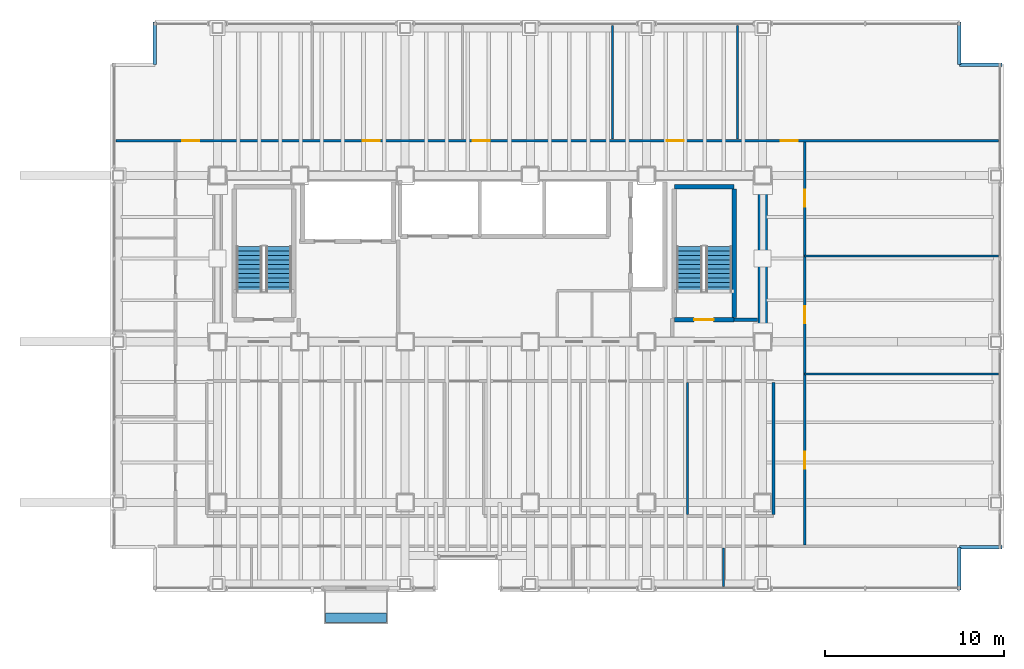
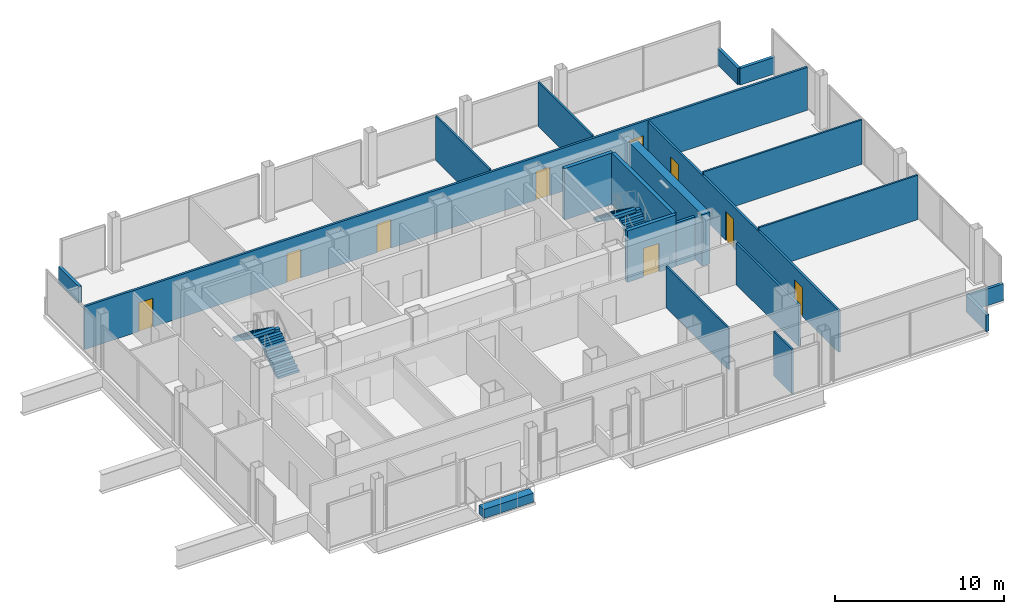
# One storey, part 22 of 23: 19 walls, 9 doors, 4 stair flights, 1 discrete accessory, 9 openings, 2 elements without a shape of their own.
"""IFC4 building model written with IfcOpenShell, lengths in metres."""

from ifc_helpers import new_model, si_unit, direction, frame, frame_2d, origin, origin_2d, place, context, subcontext, project, spatial, polyline, rectangle, outline, extrude, material, layer, layer_set, type_object, element, fill, aggregate, save


model = new_model("IFC4")

# Units and contexts
model_context = context("Model", 3, precision=1e-05, world=origin(), true_north=direction((0.0, 1.0)))
body_context = subcontext(model_context, "Body", "Model", "MODEL_VIEW")
ifc_project = project(units=[si_unit("LENGTHUNIT", "METRE"), si_unit("AREAUNIT", "SQUARE_METRE"), si_unit("VOLUMEUNIT", "CUBIC_METRE"), si_unit("PLANEANGLEUNIT", "RADIAN"), si_unit("MASSUNIT", "GRAM", prefix="KILO")], contexts=[model_context])

# Site, building, storey
site_placement = place(None, origin())
site = spatial("IfcSite", under=ifc_project, at=site_placement, CompositionType="ELEMENT")
building_placement = place(site_placement, origin())
building = spatial("IfcBuilding", under=site, at=building_placement, Name="Noeulbin Bourse Tower", CompositionType="ELEMENT")
storey_placement = place(building_placement, frame((0.0, 0.0, 53.800048828125)))
storey = spatial("IfcBuildingStorey", under=building, at=storey_placement, Name="L13", CompositionType="ELEMENT", Elevation=53.800048828125)

# Walls
ifc_material_1 = material(Name="Concrete C60/75", Category="concrete")
ifc_layer_1 = layer(ifc_material_1, 0.550048828125)
ifc_layer_set_1 = layer_set([ifc_layer_1], Name="Concrete C60/75")
wall_type_1 = type_object("IfcWallType", Name="WAL-CORE-550", PredefinedType="SHEAR", material=ifc_layer_set_1)
wall_1_placement = place(storey_placement, frame((44.0, 29.35009765625, 0.0), z_axis=(0.0, 0.0, 1.0), x_axis=(0.0, 1.0, 0.0)))
element("IfcWall", 1, at=wall_1_placement, inside=storey, type_object=wall_type_1, Name="Rear Core East Shear Wall L13", PredefinedType="SHEAR", context=body_context, shape_type="SweptSolid", body=[
    extrude(rectangle(XDim=8.599853515625, YDim=0.550048828125, at=frame_2d((4.2998046875, 0.0))), origin(), (0.0, 0.0, 1.0), 3.719970703125),
])
ifc_material_2 = material(Name="Concrete C40/50", Category="concrete")
ifc_layer_2 = layer(ifc_material_2, 0.199951171875)
ifc_layer_set_2 = layer_set([ifc_layer_2], Name="Concrete C40/50")
wall_type_2 = type_object("IfcWallType", Name="WAL-FIRE-200", PredefinedType="STANDARD", material=ifc_layer_set_2)
wall_2_placement = place(storey_placement, frame((42.39990234375, 30.239990234375, 0.0), z_axis=(0.0, 0.0, 1.0), x_axis=(1.0, 0.0, 0.0)))
element("IfcWall", 2, at=wall_2_placement, inside=storey, type_object=wall_type_2, Name="Interior Partition Wall L13-01", PredefinedType="STANDARD", context=body_context, shape_type="SweptSolid", body=[
    extrude(rectangle(XDim=1.315185546875, YDim=0.199951171875, at=frame_2d((0.65771484375, 0.0))), origin(), (0.0, 0.0, 1.0), 3.099853515625),
])
ifc_layer_3 = layer(ifc_material_2, 0.199951171875)
ifc_layer_set_3 = layer_set([ifc_layer_3], Name="Concrete C40/50")
wall_type_3 = type_object("IfcWallType", Name="WAL-PAR-200", PredefinedType="PARAPET", material=ifc_layer_set_3)
for number, where, z_axis, x_axis, name in (
    (3, (55.0, 15.10009765625, 0.0), (0.0, 0.0, 1.0), (0.0, 1.0, 0.0), "Corner Notch Parapet L13-SE1"),
    (4, (55.0, 17.5, 0.0), (0.0, 0.0, 1.0), (1.0, 0.0, 0.0), "Corner Notch Parapet L13-SE2"),
    (5, (10.0, 44.5, 0.0), (0.0, 0.0, 1.0), (0.0, 1.0, 0.0), "Corner Notch Parapet L13-NW2"),
    (6, (55.0, 46.89990234375, 0.0), (0.0, 0.0, 1.0), (0.0, -1.0, 0.0), "Corner Notch Parapet L13-NE1"),
    (7, (55.0, 44.5, 0.0), (0.0, 0.0, 1.0), (1.0, 0.0, 0.0), "Corner Notch Parapet L13-NE2"),
):
    element("IfcWall", number, at=place(storey_placement, frame(where, z_axis=z_axis, x_axis=x_axis)), inside=storey, type_object=wall_type_3, Name=name, PredefinedType="PARAPET", context=body_context, shape_type="SweptSolid", body=[
        extrude(rectangle(XDim=2.39990234375, YDim=0.199951171875, at=frame_2d((1.199951171875, 0.0))), origin(), (0.0, 0.0, 1.0), 1.199951171875),
    ])
ifc_material_3 = material(Name="Steel Stud Gypsum Partition", Category="steel")
ifc_layer_4 = layer(ifc_material_3, 0.1201171875)
ifc_layer_set_4 = layer_set([ifc_layer_4], Name="Steel Stud Gypsum Partition")
wall_type_4 = type_object("IfcWallType", Name="WAL-PRT-120", PredefinedType="PARTITIONING", material=ifc_layer_set_4)
for number, where, z_axis, x_axis, name in (
    (8, (46.35009765625, 27.199951171875, 0.0), (0.0, 0.0, 1.0), (1.0, 0.0, 0.0), "Interior Partition Wall L13-10"),
    (9, (46.35009765625, 33.800048828125, 0.0), (0.0, 0.0, 1.0), (1.0, 0.0, 0.0), "Interior Partition Wall L13-11"),
):
    element("IfcWall", number, at=place(storey_placement, frame(where, z_axis=z_axis, x_axis=x_axis)), inside=storey, type_object=wall_type_4, Name=name, PredefinedType="PARTITIONING", context=body_context, shape_type="SweptSolid", body=[
        extrude(rectangle(XDim=10.83984375, YDim=0.1201171875, at=frame_2d((5.419921875, 0.0))), origin(), (0.0, 0.0, 1.0), 3.2119140625),
    ])
wall_3_placement = place(storey_placement, frame((41.800048828125, 15.31005859375, 0.0), z_axis=(0.0, 0.0, 1.0), x_axis=(0.0, 1.0, 0.0)))
element("IfcWall", 10, at=wall_3_placement, inside=storey, type_object=wall_type_4, Name="Interior Partition Wall L13-27", PredefinedType="PARTITIONING", context=body_context, shape_type="SweptSolid", body=[
    extrude(rectangle(XDim=2.155029296875, YDim=0.1201171875, at=frame_2d((1.07763671875, 0.0))), origin(), (0.0, 0.0, 1.0), 3.2119140625),
])
wall_4_placement = place(storey_placement, frame((39.800048828125, 19.3349609375, 0.0), z_axis=(0.0, 0.0, 1.0), x_axis=(0.0, 1.0, 0.0)))
element("IfcWall", 11, at=wall_4_placement, inside=storey, type_object=wall_type_4, Name="Interior Partition Wall L13-31", PredefinedType="PARTITIONING", context=body_context, shape_type="SweptSolid", body=[
    extrude(rectangle(XDim=7.380126953125, YDim=0.1201171875, at=frame_2d((3.68994140625, 0.0))), origin(), (0.0, 0.0, 1.0), 3.0),
])
for number, where, z_axis, x_axis, name in (
    (12, (35.60009765625, 40.3349609375, 0.0), (0.0, 0.0, 1.0), (0.0, 1.0, 0.0), "Interior Partition Wall L13-34"),
    (13, (42.60009765625, 40.3349609375, 0.0), (0.0, 0.0, 1.0), (0.0, 1.0, 0.0), "Interior Partition Wall L13-35"),
):
    element("IfcWall", number, at=place(storey_placement, frame(where, z_axis=z_axis, x_axis=x_axis)), inside=storey, type_object=wall_type_4, Name=name, PredefinedType="PARTITIONING", context=body_context, shape_type="SweptSolid", body=[
        extrude(rectangle(XDim=6.35498046875, YDim=0.1201171875, at=frame_2d((3.177490234375, 0.0))), origin(), (0.0, 0.0, 1.0), 3.2119140625),
    ])

# Wall, openings, doors
ifc_material_4 = material(Name="Steel Stud Acoustic Gypsum Board", Category="steel")
ifc_layer_5 = layer(ifc_material_4, 0.14990234375)
ifc_layer_set_5 = layer_set([ifc_layer_5], Name="Steel Stud Acoustic Gypsum Board")
wall_type_5 = type_object("IfcWallType", Name="WAL-PRT-150", PredefinedType="PARTITIONING", material=ifc_layer_set_5)
wall_5_placement = place(storey_placement, frame((7.81005859375, 40.25, 0.0), z_axis=(0.0, 0.0, 1.0), x_axis=(1.0, 0.0, 0.0)))
wall_5 = element("IfcWall", 14, at=wall_5_placement, inside=storey, type_object=wall_type_5, Name="Interior Partition Wall L13-12", PredefinedType="PARTITIONING", context=body_context, shape_type="SweptSolid", body=[
    extrude(rectangle(XDim=49.3798828125, YDim=0.14990234375, at=frame_2d((24.68994140625, 0.0))), origin(), (0.0, 0.0, 1.0), 3.099853515625),
])
opening_1_placement = place(wall_5_placement, frame((3.72998046875, 0.0, 0.0)))
opening_1 = element("IfcOpeningElement", 15, at=opening_1_placement, cuts=wall_5, Name="Opening ID-09", PredefinedType="OPENING", context=body_context, shape_type="SweptSolid", body=[
    extrude(rectangle(XDim=0.949951171875, YDim=2.080078125, at=frame_2d((0.47509765625, 1.0400390625))), frame((0.0, 0.0849609375, 0.0), z_axis=(0.0, -1.0, 0.0), x_axis=(1.0, 0.0, 0.0)), (0.0, 0.0, 1.0), 0.169921875),
])
opening_2_placement = place(wall_5_placement, frame((13.81494140625, 0.0, 0.0)))
opening_2 = element("IfcOpeningElement", 16, at=opening_2_placement, cuts=wall_5, Name="Opening ID-09", PredefinedType="OPENING", context=body_context, shape_type="SweptSolid", body=[
    extrude(rectangle(XDim=0.949951171875, YDim=2.080078125, at=frame_2d((0.47509765625, 1.0400390625))), frame((0.0, 0.0849609375, 0.0), z_axis=(0.0, -1.0, 0.0), x_axis=(1.0, 0.0, 0.0)), (0.0, 0.0, 1.0), 0.169921875),
])
opening_3_placement = place(wall_5_placement, frame((19.965087890625, 0.0, 0.0)))
opening_3 = element("IfcOpeningElement", 17, at=opening_3_placement, cuts=wall_5, Name="Opening ID-09", PredefinedType="OPENING", context=body_context, shape_type="SweptSolid", body=[
    extrude(rectangle(XDim=0.949951171875, YDim=2.080078125, at=frame_2d((0.47509765625, 1.0400390625))), frame((0.0, 0.0849609375, 0.0), z_axis=(0.0, -1.0, 0.0), x_axis=(1.0, 0.0, 0.0)), (0.0, 0.0, 1.0), 0.169921875),
])
opening_4_placement = place(wall_5_placement, frame((30.81494140625, 0.0, 0.0)))
opening_4 = element("IfcOpeningElement", 18, at=opening_4_placement, cuts=wall_5, Name="Opening ID-09", PredefinedType="OPENING", context=body_context, shape_type="SweptSolid", body=[
    extrude(rectangle(XDim=0.949951171875, YDim=2.080078125, at=frame_2d((0.47509765625, 1.0400390625))), frame((0.0, 0.0849609375, 0.0), z_axis=(0.0, -1.0, 0.0), x_axis=(1.0, 0.0, 0.0)), (0.0, 0.0, 1.0), 0.169921875),
])
opening_5_placement = place(wall_5_placement, frame((37.199951171875, 0.0, 0.0)))
opening_5 = element("IfcOpeningElement", 19, at=opening_5_placement, cuts=wall_5, Name="Opening ID-09", PredefinedType="OPENING", context=body_context, shape_type="SweptSolid", body=[
    extrude(rectangle(XDim=0.949951171875, YDim=2.080078125, at=frame_2d((0.47509765625, 1.0400390625))), frame((0.0, 0.0849609375, 0.0), z_axis=(0.0, -1.0, 0.0), x_axis=(1.0, 0.0, 0.0)), (0.0, 0.0, 1.0), 0.169921875),
])
ifc_material_5 = material(Name="Acoustic Solid-Core Timber", Category="wood")
door_type_1 = type_object("IfcDoorType", Name="DR-SINGLE-950", OperationType="SINGLE_SWING_LEFT", PredefinedType="DOOR", material=ifc_material_5)
door_1_placement = place(opening_1_placement, origin())
door_1 = element("IfcDoor", 20, at=door_1_placement, inside=storey, type_object=door_type_1, Name="Interior Door L13-25", OperationType="SINGLE_SWING_RIGHT", OverallHeight=2.080078125, OverallWidth=0.949951171875, PredefinedType="DOOR", context=body_context, shape_type="SweptSolid", body=[
    extrude(rectangle(XDim=0.949951171875, YDim=2.080078125, at=frame_2d((0.47509765625, 1.0400390625))), frame((0.0, 0.02490234375, 0.0), z_axis=(0.0, -1.0, 0.0), x_axis=(1.0, 0.0, 0.0)), (0.0, 0.0, 1.0), 0.050048828125),
])
fill(opening_1, door_1)
door_2_placement = place(opening_2_placement, origin())
door_2 = element("IfcDoor", 21, at=door_2_placement, inside=storey, type_object=door_type_1, Name="Interior Door L13-26", OperationType="SINGLE_SWING_LEFT", OverallHeight=2.080078125, OverallWidth=0.949951171875, PredefinedType="DOOR", context=body_context, shape_type="SweptSolid", body=[
    extrude(rectangle(XDim=0.949951171875, YDim=2.080078125, at=frame_2d((0.47509765625, 1.0400390625))), frame((0.0, 0.02490234375, 0.0), z_axis=(0.0, -1.0, 0.0), x_axis=(1.0, 0.0, 0.0)), (0.0, 0.0, 1.0), 0.050048828125),
])
fill(opening_2, door_2)
door_3_placement = place(opening_3_placement, origin())
door_3 = element("IfcDoor", 22, at=door_3_placement, inside=storey, type_object=door_type_1, Name="Interior Door L13-27", OperationType="SINGLE_SWING_RIGHT", OverallHeight=2.080078125, OverallWidth=0.949951171875, PredefinedType="DOOR", context=body_context, shape_type="SweptSolid", body=[
    extrude(rectangle(XDim=0.949951171875, YDim=2.080078125, at=frame_2d((0.47509765625, 1.0400390625))), frame((0.0, 0.02490234375, 0.0), z_axis=(0.0, -1.0, 0.0), x_axis=(1.0, 0.0, 0.0)), (0.0, 0.0, 1.0), 0.050048828125),
])
fill(opening_3, door_3)
door_4_placement = place(opening_4_placement, origin())
door_4 = element("IfcDoor", 23, at=door_4_placement, inside=storey, type_object=door_type_1, Name="Interior Door L13-28", OperationType="SINGLE_SWING_LEFT", OverallHeight=2.080078125, OverallWidth=0.949951171875, PredefinedType="DOOR", context=body_context, shape_type="SweptSolid", body=[
    extrude(rectangle(XDim=0.949951171875, YDim=2.080078125, at=frame_2d((0.47509765625, 1.0400390625))), frame((0.0, 0.02490234375, 0.0), z_axis=(0.0, -1.0, 0.0), x_axis=(1.0, 0.0, 0.0)), (0.0, 0.0, 1.0), 0.050048828125),
])
fill(opening_4, door_4)
door_5_placement = place(opening_5_placement, origin())
door_5 = element("IfcDoor", 24, at=door_5_placement, inside=storey, type_object=door_type_1, Name="Interior Door L13-29", OperationType="SINGLE_SWING_RIGHT", OverallHeight=2.080078125, OverallWidth=0.949951171875, PredefinedType="DOOR", context=body_context, shape_type="SweptSolid", body=[
    extrude(rectangle(XDim=0.949951171875, YDim=2.080078125, at=frame_2d((0.47509765625, 1.0400390625))), frame((0.0, 0.02490234375, 0.0), z_axis=(0.0, -1.0, 0.0), x_axis=(1.0, 0.0, 0.0)), (0.0, 0.0, 1.0), 0.050048828125),
])
fill(opening_5, door_5)

wall_6_placement = place(storey_placement, frame((46.35009765625, 17.635009765625, 0.0), z_axis=(0.0, 0.0, 1.0), x_axis=(0.0, 1.0, 0.0)))
wall_6 = element("IfcWall", 25, at=wall_6_placement, inside=storey, type_object=wall_type_5, Name="Interior Partition Wall L13-23", PredefinedType="PARTITIONING", context=body_context, shape_type="SweptSolid", body=[
    extrude(rectangle(XDim=22.530029296875, YDim=0.14990234375, at=frame_2d((11.26513671875, 0.0))), origin(), (0.0, 0.0, 1.0), 3.0),
])
opening_6_placement = place(wall_6_placement, frame((4.264892578125, 0.0, 0.0)))
opening_6 = element("IfcOpeningElement", 26, at=opening_6_placement, cuts=wall_6, Name="Opening ID-09", PredefinedType="OPENING", context=body_context, shape_type="SweptSolid", body=[
    extrude(rectangle(XDim=0.949951171875, YDim=2.080078125, at=frame_2d((0.47509765625, 1.0400390625))), frame((0.0, 0.0849609375, 0.0), z_axis=(0.0, -1.0, 0.0), x_axis=(1.0, 0.0, 0.0)), (0.0, 0.0, 1.0), 0.169921875),
])
opening_7_placement = place(wall_6_placement, frame((12.389892578125, 0.0, 0.0)))
opening_7 = element("IfcOpeningElement", 27, at=opening_7_placement, cuts=wall_6, Name="Opening ID-09", PredefinedType="OPENING", context=body_context, shape_type="SweptSolid", body=[
    extrude(rectangle(XDim=0.949951171875, YDim=2.080078125, at=frame_2d((0.47509765625, 1.0400390625))), frame((0.0, 0.0849609375, 0.0), z_axis=(0.0, -1.0, 0.0), x_axis=(1.0, 0.0, 0.0)), (0.0, 0.0, 1.0), 0.169921875),
])
opening_8_placement = place(wall_6_placement, frame((18.9150390625, 0.0, 0.0)))
opening_8 = element("IfcOpeningElement", 28, at=opening_8_placement, cuts=wall_6, Name="Opening ID-09", PredefinedType="OPENING", context=body_context, shape_type="SweptSolid", body=[
    extrude(rectangle(XDim=0.949951171875, YDim=2.080078125, at=frame_2d((0.47509765625, 1.0400390625))), frame((0.0, 0.0849609375, 0.0), z_axis=(0.0, -1.0, 0.0), x_axis=(1.0, 0.0, 0.0)), (0.0, 0.0, 1.0), 0.169921875),
])
door_6_placement = place(opening_6_placement, origin())
door_6 = element("IfcDoor", 29, at=door_6_placement, inside=storey, type_object=door_type_1, Name="Interior Door L13-22", OperationType="SINGLE_SWING_LEFT", OverallHeight=2.080078125, OverallWidth=0.949951171875, PredefinedType="DOOR", context=body_context, shape_type="SweptSolid", body=[
    extrude(rectangle(XDim=0.949951171875, YDim=2.080078125, at=frame_2d((0.47509765625, 1.0400390625))), frame((0.0, 0.02490234375, 0.0), z_axis=(0.0, -1.0, 0.0), x_axis=(1.0, 0.0, 0.0)), (0.0, 0.0, 1.0), 0.050048828125),
])
fill(opening_6, door_6)
door_7_placement = place(opening_7_placement, origin())
door_7 = element("IfcDoor", 30, at=door_7_placement, inside=storey, type_object=door_type_1, Name="Interior Door L13-23", OperationType="SINGLE_SWING_RIGHT", OverallHeight=2.080078125, OverallWidth=0.949951171875, PredefinedType="DOOR", context=body_context, shape_type="SweptSolid", body=[
    extrude(rectangle(XDim=0.949951171875, YDim=2.080078125, at=frame_2d((0.47509765625, 1.0400390625))), frame((0.0, 0.02490234375, 0.0), z_axis=(0.0, -1.0, 0.0), x_axis=(1.0, 0.0, 0.0)), (0.0, 0.0, 1.0), 0.050048828125),
])
fill(opening_7, door_7)
door_8_placement = place(opening_8_placement, origin())
door_8 = element("IfcDoor", 31, at=door_8_placement, inside=storey, type_object=door_type_1, Name="Interior Door L13-24", OperationType="SINGLE_SWING_LEFT", OverallHeight=2.080078125, OverallWidth=0.949951171875, PredefinedType="DOOR", context=body_context, shape_type="SweptSolid", body=[
    extrude(rectangle(XDim=0.949951171875, YDim=2.080078125, at=frame_2d((0.47509765625, 1.0400390625))), frame((0.0, 0.02490234375, 0.0), z_axis=(0.0, -1.0, 0.0), x_axis=(1.0, 0.0, 0.0)), (0.0, 0.0, 1.0), 0.050048828125),
])
fill(opening_8, door_8)

# Wall
wall_7_placement = place(storey_placement, frame((44.60009765625, 19.3349609375, 0.0), z_axis=(0.0, 0.0, 1.0), x_axis=(0.0, 1.0, 0.0)))
element("IfcWall", 32, at=wall_7_placement, inside=storey, type_object=wall_type_5, Name="Interior Partition Wall L13-24", PredefinedType="PARTITIONING", context=body_context, shape_type="SweptSolid", body=[
    extrude(rectangle(XDim=7.380126953125, YDim=0.14990234375, at=frame_2d((3.68994140625, 0.0))), origin(), (0.0, 0.0, 1.0), 3.0),
])

# Wall, opening, door
ifc_layer_6 = layer(ifc_material_2, 0.25)
ifc_layer_set_6 = layer_set([ifc_layer_6], Name="Concrete C40/50")
wall_type_6 = type_object("IfcWallType", Name="WAL-SHFT-250", PredefinedType="STANDARD", material=ifc_layer_set_6)
wall_8_placement = place(storey_placement, frame((39.06005859375, 30.235107421875, 0.0), z_axis=(0.0, 0.0, 1.0), x_axis=(1.0, 0.0, 0.0)))
wall_8 = element("IfcWall", 33, at=wall_8_placement, inside=storey, type_object=wall_type_6, Name="Stair ST-2 South Shaft Wall L13", PredefinedType="STANDARD", context=body_context, shape_type="SweptSolid", body=[
    extrude(rectangle(XDim=3.33984375, YDim=0.25, at=frame_2d((1.669921875, 0.0))), origin(), (0.0, 0.0, 1.0), 3.719970703125),
])
opening_9_placement = place(wall_8_placement, frame((1.10009765625, 0.0, 0.0)))
opening_9 = element("IfcOpeningElement", 34, at=opening_9_placement, cuts=wall_8, Name="Opening FD-11", PredefinedType="OPENING", context=body_context, shape_type="SweptSolid", body=[
    extrude(rectangle(XDim=1.10009765625, YDim=2.080078125, at=frame_2d((0.550048828125, 1.0400390625))), frame((0.0, 0.135009765625, 0.0), z_axis=(0.0, -1.0, 0.0), x_axis=(1.0, 0.0, 0.0)), (0.0, 0.0, 1.0), 0.27001953125),
])
ifc_material_6 = material(Name="Fire-Rated Insulated Steel", Category="steel")
door_type_2 = type_object("IfcDoorType", Name="DR-FD60-1100", OperationType="SINGLE_SWING_LEFT", PredefinedType="DOOR", material=ifc_material_6)
door_9_placement = place(opening_9_placement, origin())
door_9 = element("IfcDoor", 35, at=door_9_placement, inside=storey, type_object=door_type_2, Name="Protected Stair Entry Door ST2-L13", OperationType="SINGLE_SWING_LEFT", OverallHeight=2.080078125, OverallWidth=1.10009765625, PredefinedType="DOOR", context=body_context, shape_type="SweptSolid", body=[
    extrude(rectangle(XDim=1.10009765625, YDim=2.080078125, at=frame_2d((0.550048828125, 1.0400390625))), frame((0.0, 0.02490234375, 0.0), z_axis=(0.0, -1.0, 0.0), x_axis=(1.0, 0.0, 0.0)), (0.0, 0.0, 1.0), 0.050048828125),
])
fill(opening_9, door_9)

# Walls
wall_9_placement = place(storey_placement, frame((39.06005859375, 37.6689453125, 0.0), z_axis=(0.0, 0.0, 1.0), x_axis=(1.0, 0.0, 0.0)))
element("IfcWall", 36, at=wall_9_placement, inside=storey, type_object=wall_type_6, Name="Stair ST-2 North Shaft Wall L13", PredefinedType="STANDARD", context=body_context, shape_type="SweptSolid", body=[
    extrude(rectangle(XDim=3.33984375, YDim=0.25, at=frame_2d((1.669921875, 0.0))), origin(), (0.0, 0.0, 1.0), 3.719970703125),
])
wall_10_placement = place(storey_placement, frame((42.405029296875, 30.360107421875, 0.0), z_axis=(0.0, 0.0, 1.0), x_axis=(0.0, 1.0, 0.0)))
element("IfcWall", 37, at=wall_10_placement, inside=storey, type_object=wall_type_6, Name="Stair ST-2 East Shaft Wall L13", PredefinedType="STANDARD", context=body_context, shape_type="SweptSolid", body=[
    extrude(rectangle(XDim=7.183837890625, YDim=0.25, at=frame_2d((3.591796875, 0.0))), origin(), (0.0, 0.0, 1.0), 3.719970703125),
])

# Stair, stair flights
stair_type = type_object("IfcStairType", Name="STR-CORE-1560", PredefinedType="HALF_TURN_STAIR", material=ifc_material_2)
stair_1_placement = place(storey_placement, origin())
stair_1 = element("IfcStair", 38, at=stair_1_placement, inside=storey, type_object=stair_type, Name="L13 ST-1", PredefinedType="HALF_TURN_STAIR")
stair_flight_type = type_object("IfcStairFlightType", Name="SFL-CORE-1560", PredefinedType="STRAIGHT", material=ifc_material_2)
stair_flight_1_placement = place(storey_placement, frame((16.925048828125, 31.81005859375, 0.0), z_axis=(0.0, 0.0, 1.0), x_axis=(0.0, 1.0, 0.0)))
stair_flight_1 = element("IfcStairFlight", 39, at=stair_flight_1_placement, type_object=stair_flight_type, Name="ST-1 flight 1", NumberOfRisers=11, NumberOfTreads=10, PredefinedType="STRAIGHT", RiserHeight=0.177272727, TreadLength=0.252, context=body_context, shape_type="SweptSolid", body=[
    extrude(outline(polyline([(0.0, 0.0), (0.0, 0.17724609375), (0.251953125, 0.17724609375), (0.251953125, 0.3544921875), (0.50390625, 0.3544921875), (0.50390625, 0.53173828125), (0.756103515625, 0.53173828125), (0.756103515625, 0.708984375), (1.008056640625, 0.708984375), (1.008056640625, 0.886474609375), (1.260009765625, 0.886474609375), (1.260009765625, 1.063720703125), (1.511962890625, 1.063720703125), (1.511962890625, 1.240966796875), (1.763916015625, 1.240966796875), (1.763916015625, 1.418212890625), (2.01611328125, 1.418212890625), (2.01611328125, 1.595458984375), (2.26806640625, 1.595458984375), (2.26806640625, 1.772705078125), (2.52001953125, 1.772705078125), (2.52001953125, 1.949951171875), (2.52001953125, 1.552734375), (0.312744140625, 0.0), (0.0, 0.0)])), frame((0.0, 0.72509765625, 0.0), z_axis=(0.0, -1.0, 0.0), x_axis=(1.0, 0.0, 0.0)), (0.0, 0.0, 1.0), 1.449951171875),
])
stair_flight_2_placement = place(storey_placement, frame((15.27490234375, 34.330078125, 1.949951171875), z_axis=(0.0, 0.0, 1.0), x_axis=(0.0, -1.0, 0.0)))
stair_flight_2 = element("IfcStairFlight", 40, at=stair_flight_2_placement, type_object=stair_flight_type, Name="ST-1 flight 2", NumberOfRisers=11, NumberOfTreads=10, PredefinedType="STRAIGHT", RiserHeight=0.177272727, TreadLength=0.252, context=body_context, shape_type="SweptSolid", body=[
    extrude(outline(polyline([(0.0, 0.0), (0.0, 0.17724609375), (0.251953125, 0.17724609375), (0.251953125, 0.3544921875), (0.50390625, 0.3544921875), (0.50390625, 0.53173828125), (0.756103515625, 0.53173828125), (0.756103515625, 0.708984375), (1.008056640625, 0.708984375), (1.008056640625, 0.886474609375), (1.260009765625, 0.886474609375), (1.260009765625, 1.063720703125), (1.511962890625, 1.063720703125), (1.511962890625, 1.240966796875), (1.763916015625, 1.240966796875), (1.763916015625, 1.418212890625), (2.01611328125, 1.418212890625), (2.01611328125, 1.595458984375), (2.26806640625, 1.595458984375), (2.26806640625, 1.772705078125), (2.52001953125, 1.772705078125), (2.52001953125, 1.949951171875), (2.52001953125, 1.552734375), (0.312744140625, 0.0), (0.0, 0.0)])), frame((0.0, 0.72509765625, 0.0), z_axis=(0.0, -1.0, 0.0), x_axis=(1.0, 0.0, 0.0)), (0.0, 0.0, 1.0), 1.449951171875),
])
aggregate(stair_1, [stair_flight_1, stair_flight_2])

stair_2_placement = place(storey_placement, origin())
stair_2 = element("IfcStair", 41, at=stair_2_placement, inside=storey, type_object=stair_type, Name="L13 ST-2", PredefinedType="HALF_TURN_STAIR")
stair_flight_3_placement = place(storey_placement, frame((41.554931640625, 31.81005859375, 0.0), z_axis=(0.0, 0.0, 1.0), x_axis=(0.0, 1.0, 0.0)))
stair_flight_3 = element("IfcStairFlight", 42, at=stair_flight_3_placement, type_object=stair_flight_type, Name="ST-2 flight 1", NumberOfRisers=11, NumberOfTreads=10, PredefinedType="STRAIGHT", RiserHeight=0.177272727, TreadLength=0.252, context=body_context, shape_type="SweptSolid", body=[
    extrude(outline(polyline([(0.0, 0.0), (0.0, 0.17724609375), (0.251953125, 0.17724609375), (0.251953125, 0.3544921875), (0.50390625, 0.3544921875), (0.50390625, 0.53173828125), (0.756103515625, 0.53173828125), (0.756103515625, 0.708984375), (1.008056640625, 0.708984375), (1.008056640625, 0.886474609375), (1.260009765625, 0.886474609375), (1.260009765625, 1.063720703125), (1.511962890625, 1.063720703125), (1.511962890625, 1.240966796875), (1.763916015625, 1.240966796875), (1.763916015625, 1.418212890625), (2.01611328125, 1.418212890625), (2.01611328125, 1.595458984375), (2.26806640625, 1.595458984375), (2.26806640625, 1.772705078125), (2.52001953125, 1.772705078125), (2.52001953125, 1.949951171875), (2.52001953125, 1.552734375), (0.312744140625, 0.0), (0.0, 0.0)])), frame((0.0, 0.72509765625, 0.0), z_axis=(0.0, -1.0, 0.0), x_axis=(1.0, 0.0, 0.0)), (0.0, 0.0, 1.0), 1.449951171875),
])
stair_flight_4_placement = place(storey_placement, frame((39.905029296875, 34.330078125, 1.949951171875), z_axis=(0.0, 0.0, 1.0), x_axis=(0.0, -1.0, 0.0)))
stair_flight_4 = element("IfcStairFlight", 43, at=stair_flight_4_placement, type_object=stair_flight_type, Name="ST-2 flight 2", NumberOfRisers=11, NumberOfTreads=10, PredefinedType="STRAIGHT", RiserHeight=0.177272727, TreadLength=0.252, context=body_context, shape_type="SweptSolid", body=[
    extrude(outline(polyline([(0.0, 0.0), (0.0, 0.17724609375), (0.251953125, 0.17724609375), (0.251953125, 0.3544921875), (0.50390625, 0.3544921875), (0.50390625, 0.53173828125), (0.756103515625, 0.53173828125), (0.756103515625, 0.708984375), (1.008056640625, 0.708984375), (1.008056640625, 0.886474609375), (1.260009765625, 0.886474609375), (1.260009765625, 1.063720703125), (1.511962890625, 1.063720703125), (1.511962890625, 1.240966796875), (1.763916015625, 1.240966796875), (1.763916015625, 1.418212890625), (2.01611328125, 1.418212890625), (2.01611328125, 1.595458984375), (2.26806640625, 1.595458984375), (2.26806640625, 1.772705078125), (2.52001953125, 1.772705078125), (2.52001953125, 1.949951171875), (2.52001953125, 1.552734375), (0.312744140625, 0.0), (0.0, 0.0)])), frame((0.0, 0.72509765625, 0.0), z_axis=(0.0, -1.0, 0.0), x_axis=(1.0, 0.0, 0.0)), (0.0, 0.0, 1.0), 1.449951171875),
])
aggregate(stair_2, [stair_flight_3, stair_flight_4])

# Discrete accessory
ifc_material_7 = material(Name="Architectural GFRC Concrete C40/50", Category="concrete")
ifc_layer_7 = layer(ifc_material_7, 0.64990234375)
ifc_layer_set_7 = layer_set([ifc_layer_7], Name="Architectural GFRC Concrete C40/50")
discrete_accessory_type = type_object("IfcDiscreteAccessoryType", Name="PLANTER-BOX-3600", PredefinedType="USERDEFINED", material=ifc_layer_set_7)
discrete_accessory_placement = place(storey_placement, frame((21.25, 13.56005859375, 0.0), z_axis=(0.0, 0.0, 1.0), x_axis=(1.0, 0.0, 0.0)))
element("IfcDiscreteAccessory", 44, at=discrete_accessory_placement, inside=storey, type_object=discrete_accessory_type, Name="Integrated Balcony Tree Planter Box L13", ObjectType="PLANTER", PredefinedType="USERDEFINED", context=body_context, shape_type="SweptSolid", body=[
    extrude(rectangle(XDim=3.39990234375, YDim=0.550048828125, at=origin_2d()), origin(), (0.0, 0.0, 1.0), 0.64990234375),
])

save(model, "model.ifc")
